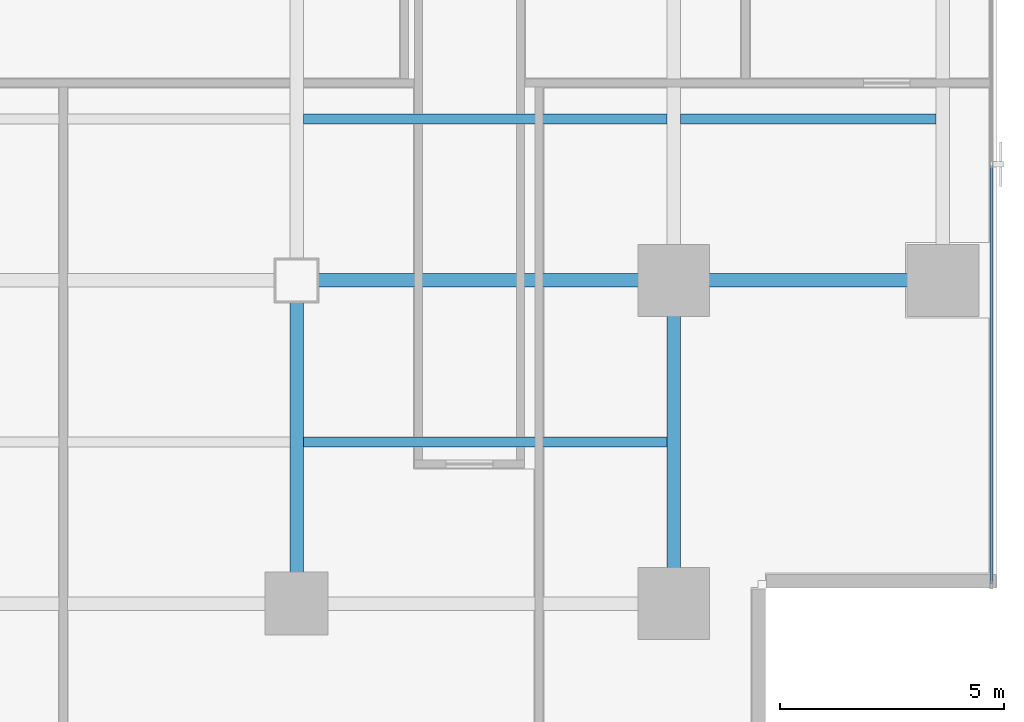
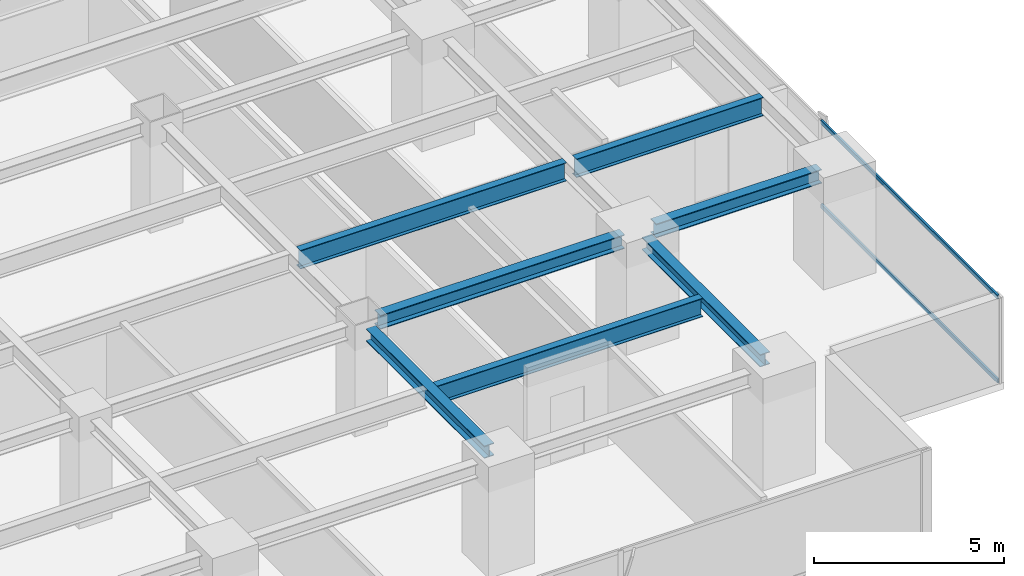
# One storey, part 10 of 28: 7 beams, 2 members, 1 element without a shape of its own.
"""IFC4 building model written with IfcOpenShell, lengths in metres."""

from ifc_helpers import new_model, si_unit, direction, frame, origin, origin_2d, place, context, subcontext, project, spatial, hollow_rectangle, i_section, extrude, source, transform, mapped, material, layer, layer_set, material_profile, profile_set, type_object, element, aggregate, save


model = new_model("IFC4")

# Units and contexts
model_context = context("Model", 3, precision=1e-05, world=origin(), true_north=direction((0.0, 1.0)))
body_context = subcontext(model_context, "Body", "Model", "MODEL_VIEW")
ifc_project = project(units=[si_unit("LENGTHUNIT", "METRE"), si_unit("AREAUNIT", "SQUARE_METRE"), si_unit("VOLUMEUNIT", "CUBIC_METRE"), si_unit("PLANEANGLEUNIT", "RADIAN"), si_unit("MASSUNIT", "GRAM", prefix="KILO")], contexts=[model_context])

# Site, building, storey
site_placement = place(None, origin())
site = spatial("IfcSite", under=ifc_project, at=site_placement, CompositionType="ELEMENT")
building_placement = place(site_placement, origin())
building = spatial("IfcBuilding", under=site, at=building_placement, Name="Sumidabori Civic Tower", CompositionType="ELEMENT")
storey_placement = place(building_placement, frame((0.0, 0.0, 174.800048828125)))
storey = spatial("IfcBuildingStorey", under=building, at=storey_placement, Name="L45", CompositionType="ELEMENT", Elevation=174.800048828125)

# Beams
ifc_material_1 = material(Name="Steel SN490", Category="steel")
ifc_material_profile_1 = material_profile(ifc_material_1, i_section(OverallWidth=0.300048828125, OverallDepth=0.39990234375, WebThickness=0.013427734375, FlangeThickness=0.02392578125, at=origin_2d()), Name="HE 400 B")
ifc_profile_set_1 = profile_set([ifc_material_profile_1], Name="Steel SN490")
beam_type_1 = type_object("IfcBeamType", Name="BM-GIRD-400", PredefinedType="BEAM", material=ifc_profile_set_1)
shared_shape_1 = source(origin(), body_context, "Body", "SweptSolid", [
    extrude(i_section(OverallWidth=0.300048828125, OverallDepth=0.39990234375, WebThickness=0.013427734375, FlangeThickness=0.02392578125, at=origin_2d()), origin(), (0.0, 0.0, 1.0), 6.239990234375),
])
for number, where, z_axis, x_axis, name in (
    (1, (8.39990234375, -17.52001953125, 3.179931640625), (0.0, 1.0, 0.0), (-1.0, 0.0, 0.0), "Primary Girder L45 GY-30"),
    (2, (16.800048828125, -17.52001953125, 3.179931640625), (0.0, 1.0, 0.0), (-1.0, 0.0, 0.0), "Primary Girder L45 GY-32"),
):
    element("IfcBeam", number, at=place(storey_placement, frame(where, z_axis=z_axis, x_axis=x_axis)), inside=storey, type_object=beam_type_1, Name=name, PredefinedType="BEAM", context=body_context, shape_type="MappedRepresentation", body=[
        mapped(shared_shape_1, transform((0.0, 0.0, 0.0), x_axis=(1.0, 0.0, 0.0), y_axis=(0.0, 1.0, 0.0), z_axis=(0.0, 0.0, 1.0), scale=1.0)),
    ])
ifc_material_profile_2 = material_profile(ifc_material_1, i_section(OverallWidth=0.219970703125, OverallDepth=0.60009765625, WebThickness=0.011962890625, FlangeThickness=0.01904296875, at=origin_2d()), Name="IPE 600")
ifc_profile_set_2 = profile_set([ifc_material_profile_2], Name="Steel SN490")
beam_type_2 = type_object("IfcBeamType", Name="BM-JST-600", PredefinedType="JOIST", material=ifc_profile_set_2)
shared_shape_2 = source(origin(), body_context, "Body", "SweptSolid", [
    extrude(i_section(OverallWidth=0.219970703125, OverallDepth=0.60009765625, WebThickness=0.011962890625, FlangeThickness=0.01904296875, at=origin_2d()), origin(), (0.0, 0.0, 1.0), 5.699951171875),
])
beam_1_placement = place(storey_placement, frame((16.949951171875, -7.199951171875, 3.079833984375), z_axis=(1.0, 0.0, 0.0), x_axis=(0.0, 1.0, 0.0)))
element("IfcBeam", 3, at=beam_1_placement, inside=storey, type_object=beam_type_2, Name="Outer Bay Floor Joist L45 JSTO-40", PredefinedType="JOIST", context=body_context, shape_type="MappedRepresentation", body=[
    mapped(shared_shape_2, transform((0.0, 0.0, 0.0), x_axis=(1.0, 0.0, 0.0), y_axis=(0.0, 1.0, 0.0), z_axis=(0.0, 0.0, 1.0), scale=1.0)),
])
shared_shape_3 = source(origin(), body_context, "Body", "SweptSolid", [
    extrude(i_section(OverallWidth=0.219970703125, OverallDepth=0.60009765625, WebThickness=0.011962890625, FlangeThickness=0.01904296875, at=origin_2d()), origin(), (0.0, 0.0, 1.0), 8.099853515625),
])
for number, where, z_axis, x_axis, name in (
    (4, (8.550048828125, -14.39990234375, 3.079833984375), (1.0, 0.0, 0.0), (0.0, 1.0, 0.0), "South Bay Floor Joist L45 JSTS-52"),
    (5, (8.550048828125, -7.199951171875, 3.079833984375), (1.0, 0.0, 0.0), (0.0, 1.0, 0.0), "South Bay Floor Joist L45 JSTS-56"),
):
    element("IfcBeam", number, at=place(storey_placement, frame(where, z_axis=z_axis, x_axis=x_axis)), inside=storey, type_object=beam_type_2, Name=name, PredefinedType="JOIST", context=body_context, shape_type="MappedRepresentation", body=[
        mapped(shared_shape_3, transform((0.0, 0.0, 0.0), x_axis=(1.0, 0.0, 0.0), y_axis=(0.0, 1.0, 0.0), z_axis=(0.0, 0.0, 1.0), scale=1.0)),
    ])
ifc_material_profile_3 = material_profile(ifc_material_1, i_section(OverallWidth=0.300048828125, OverallDepth=0.449951171875, WebThickness=0.013916015625, FlangeThickness=0.02587890625, at=origin_2d()), Name="HE 450 B")
ifc_profile_set_3 = profile_set([ifc_material_profile_3], Name="Steel SN490")
beam_type_3 = type_object("IfcBeamType", Name="BM-GIRD-450", PredefinedType="BEAM", material=ifc_profile_set_3)
shared_shape_4 = source(origin(), body_context, "Body", "SweptSolid", [
    extrude(i_section(OverallWidth=0.300048828125, OverallDepth=0.449951171875, WebThickness=0.013916015625, FlangeThickness=0.02587890625, at=origin_2d()), origin(), (0.0, 0.0, 1.0), 7.440185546875),
])
beam_2_placement = place(storey_placement, frame((8.8798828125, -10.800048828125, 3.155029296875), z_axis=(1.0, 0.0, 0.0), x_axis=(0.0, 1.0, 0.0)))
element("IfcBeam", 6, at=beam_2_placement, inside=storey, type_object=beam_type_3, Name="Primary Girder L45 GX-09", PredefinedType="BEAM", context=body_context, shape_type="MappedRepresentation", body=[
    mapped(shared_shape_4, transform((0.0, 0.0, 0.0), x_axis=(1.0, 0.0, 0.0), y_axis=(0.0, 1.0, 0.0), z_axis=(0.0, 0.0, 1.0), scale=1.0)),
])
shared_shape_5 = source(origin(), body_context, "Body", "SweptSolid", [
    extrude(i_section(OverallWidth=0.300048828125, OverallDepth=0.449951171875, WebThickness=0.013916015625, FlangeThickness=0.02587890625, at=origin_2d()), origin(), (0.0, 0.0, 1.0), 5.0400390625),
])
beam_3_placement = place(storey_placement, frame((17.280029296875, -10.800048828125, 3.155029296875), z_axis=(1.0, 0.0, 0.0), x_axis=(0.0, 1.0, 0.0)))
element("IfcBeam", 7, at=beam_3_placement, inside=storey, type_object=beam_type_3, Name="Primary Girder L45 GX-10", PredefinedType="BEAM", context=body_context, shape_type="MappedRepresentation", body=[
    mapped(shared_shape_5, transform((0.0, 0.0, 0.0), x_axis=(1.0, 0.0, 0.0), y_axis=(0.0, 1.0, 0.0), z_axis=(0.0, 0.0, 1.0), scale=1.0)),
])

# Curtain wall, members
ifc_material_2 = material(Name="Anodised Bronze Aluminium AW-6063-T6", Category="aluminium")
ifc_layer = layer(ifc_material_2, 0.179931640625, Name="Anodised Bronze Aluminium AW-6063-T6")
ifc_layer_set = layer_set([ifc_layer], Name="Anodised Bronze Aluminium AW-6063-T6")
curtain_wall_type = type_object("IfcCurtainWallType", Name="CW-SYS-3", PredefinedType="NOTDEFINED", material=ifc_layer_set)
curtain_wall_placement = place(storey_placement, origin())
curtain_wall = element("IfcCurtainWall", 8, at=curtain_wall_placement, inside=storey, type_object=curtain_wall_type, Name="Curtain Wall CW:L45:R04", PredefinedType="NOTDEFINED")
ifc_material_profile_4 = material_profile(ifc_material_2, hollow_rectangle(XDim=0.06005859375, YDim=0.1298828125, WallThickness=0.0048828125, at=origin_2d()), Name="ALU TRANSOM 130x60")
ifc_profile_set_4 = profile_set([ifc_material_profile_4], Name="Anodised Bronze Aluminium AW-6063-T6")
member_type = type_object("IfcMemberType", Name="CW-TRN-130", PredefinedType="USERDEFINED", material=ifc_profile_set_4)
shared_shape_6 = source(origin(), body_context, "Body", "SweptSolid", [
    extrude(hollow_rectangle(XDim=0.06005859375, YDim=0.1298828125, WallThickness=0.0048828125, at=origin_2d()), origin(), (0.0, 0.0, 1.0), 9.3125),
])
member_1_placement = place(storey_placement, frame((23.8798828125, -17.554931640625, 0.030029296875), z_axis=(0.0, 1.0, 0.0), x_axis=(-1.0, 0.0, 0.0)))
member_1 = element("IfcMember", 9, at=member_1_placement, type_object=member_type, Name="CW-3 transom 1.1", ObjectType="TRANSOM", PredefinedType="USERDEFINED", context=body_context, shape_type="MappedRepresentation", body=[
    mapped(shared_shape_6, transform((0.0, 0.0, 0.0), x_axis=(1.0, 0.0, 0.0), y_axis=(0.0, 1.0, 0.0), z_axis=(0.0, 0.0, 1.0), scale=1.0)),
])
member_2_placement = place(storey_placement, frame((23.8798828125, -17.554931640625, 2.72998046875), z_axis=(0.0, 1.0, 0.0), x_axis=(-1.0, 0.0, 0.0)))
member_2 = element("IfcMember", 10, at=member_2_placement, type_object=member_type, Name="CW-3 transom 1.2", ObjectType="TRANSOM", PredefinedType="USERDEFINED", context=body_context, shape_type="MappedRepresentation", body=[
    mapped(shared_shape_6, transform((0.0, 0.0, 0.0), x_axis=(1.0, 0.0, 0.0), y_axis=(0.0, 1.0, 0.0), z_axis=(0.0, 0.0, 1.0), scale=1.0)),
])
aggregate(curtain_wall, [member_1, member_2])

save(model, "model.ifc")
